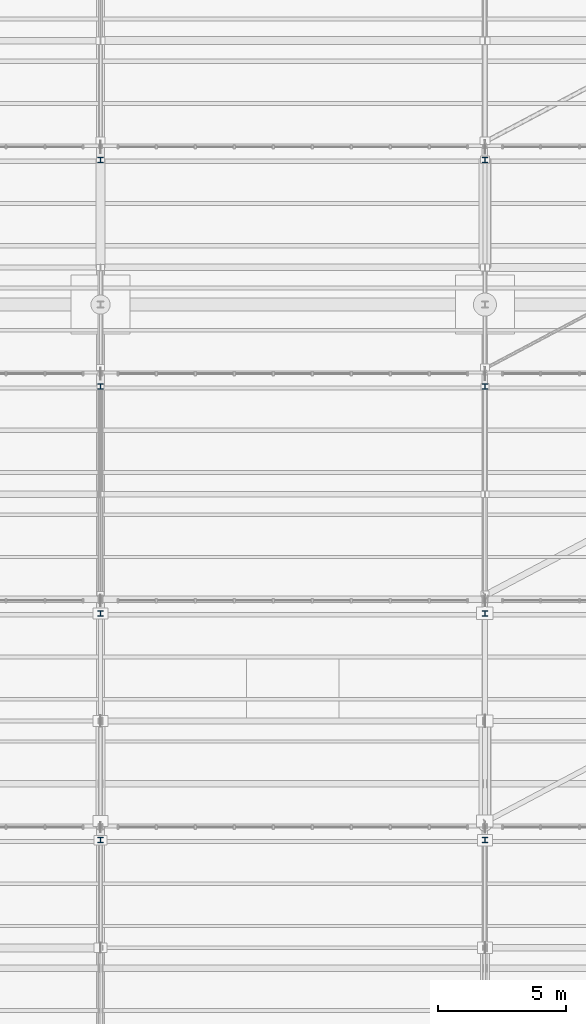
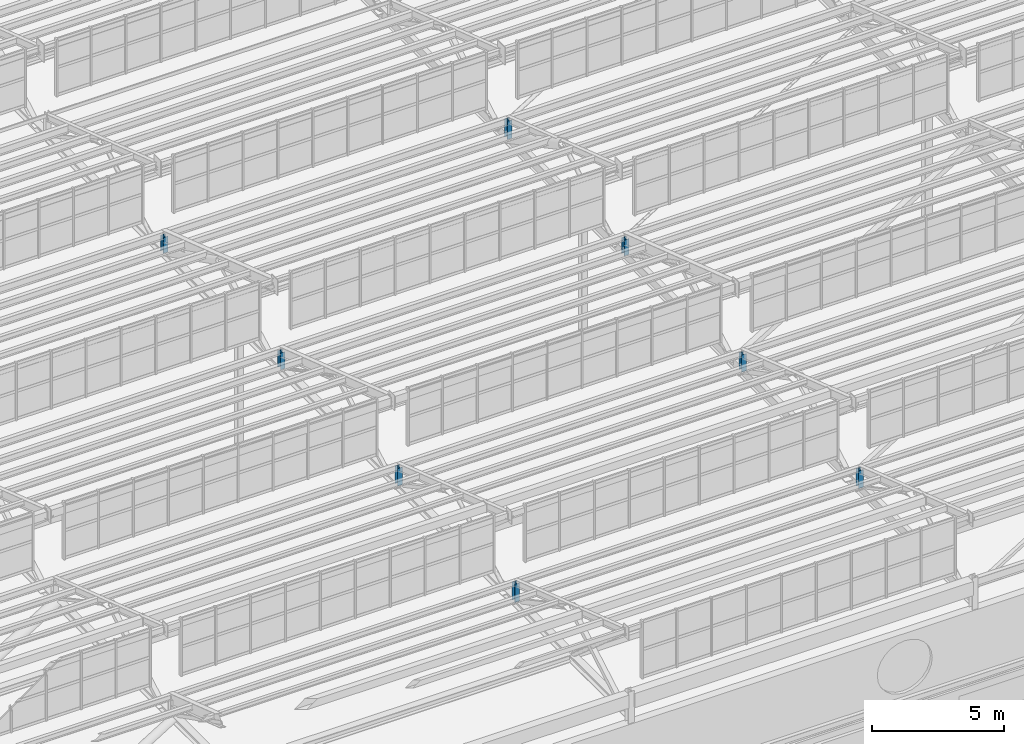
# One storey, part 149 of 285: 8 members.
"""IFC4 building model written with IfcOpenShell, lengths in metres."""

from ifc_helpers import new_model, si_unit, direction, frame, origin, origin_2d, place, context, subcontext, project, spatial, i_section, extrude, material, material_profile, profile_set, type_object, element, save


model = new_model("IFC4")

# Units and contexts
model_context = context("Model", 3, precision=1e-05, world=origin(), true_north=direction((0.0, 1.0)))
body_context = subcontext(model_context, "Body", "Model", "MODEL_VIEW")
ifc_project = project(units=[si_unit("LENGTHUNIT", "METRE"), si_unit("AREAUNIT", "SQUARE_METRE"), si_unit("VOLUMEUNIT", "CUBIC_METRE"), si_unit("PLANEANGLEUNIT", "RADIAN"), si_unit("MASSUNIT", "GRAM", prefix="KILO")], contexts=[model_context])

# Site, building, storey
site_placement = place(None, origin())
site = spatial("IfcSite", under=ifc_project, at=site_placement, CompositionType="ELEMENT")
building_placement = place(site_placement, origin())
building = spatial("IfcBuilding", under=site, at=building_placement, Name="Solanera Park Tramway Depot", CompositionType="ELEMENT")
storey_placement = place(building_placement, origin())
storey = spatial("IfcBuildingStorey", under=building, at=storey_placement, Name="L00", CompositionType="ELEMENT", Elevation=0.0)

# Members
ifc_material = material(Name="Steel AS/NZS 3679.1 Grade 350", Category="steel")
ifc_material_profile = material_profile(ifc_material, i_section(OverallWidth=0.205078125, OverallDepth=0.209716796875, WebThickness=0.00927734375, FlangeThickness=0.01416015625, at=origin_2d()), Name="200UC59.5")
ifc_profile_set = profile_set([ifc_material_profile], Name="Steel AS/NZS 3679.1 Grade 350")
member_type = type_object("IfcMemberType", Name="Roof Gantry Compression Strut 200UC59.5", PredefinedType="STRUT", material=ifc_profile_set)
member_1_placement = place(storey_placement, frame((75.0, 64.10009765625, 6.5), z_axis=(0.0, 0.0, 1.0), x_axis=(1.0, 0.0, 0.0)))
element("IfcMember", 1, at=member_1_placement, inside=storey, type_object=member_type, Name="Sawtooth ROOF TRUSS Valley Post 200UC59.5 #0005", PredefinedType="STRUT", context=body_context, shape_type="SweptSolid", body=[
    extrude(i_section(OverallWidth=0.205078125, OverallDepth=0.209716796875, WebThickness=0.00927734375, FlangeThickness=0.01416015625, at=origin_2d()), origin(), (0.0, 0.0, 1.0), 0.83740234375),
])
for number, where, z_axis, x_axis, name in (
    (2, (90.0, 64.10009765625, 6.5), (0.0, 0.0, 1.0), (1.0, 0.0, 0.0), "Sawtooth ROOF TRUSS Valley Post 200UC59.5 #0006"),
    (3, (75.0, 72.949951171875, 6.5), (0.0, 0.0, 1.0), (1.0, 0.0, 0.0), "Sawtooth ROOF TRUSS Valley Post 200UC59.5 #0014"),
):
    element("IfcMember", number, at=place(storey_placement, frame(where, z_axis=z_axis, x_axis=x_axis)), inside=storey, type_object=member_type, Name=name, PredefinedType="STRUT", context=body_context, shape_type="SweptSolid", body=[
        extrude(i_section(OverallWidth=0.205078125, OverallDepth=0.209716796875, WebThickness=0.00927734375, FlangeThickness=0.01416015625, at=origin_2d()), origin(), (0.0, 0.0, 1.0), 0.81298828125),
    ])
member_2_placement = place(storey_placement, frame((90.0, 72.949951171875, 6.5), z_axis=(0.0, 0.0, 1.0), x_axis=(1.0, 0.0, 0.0)))
element("IfcMember", 4, at=member_2_placement, inside=storey, type_object=member_type, Name="Sawtooth ROOF TRUSS Valley Post 200UC59.5 #0015", PredefinedType="STRUT", context=body_context, shape_type="SweptSolid", body=[
    extrude(i_section(OverallWidth=0.205078125, OverallDepth=0.209716796875, WebThickness=0.00927734375, FlangeThickness=0.01416015625, at=origin_2d()), origin(), (0.0, 0.0, 1.0), 0.78759765625),
])
member_3_placement = place(storey_placement, frame((75.0, 81.800048828125, 6.5), z_axis=(0.0, 0.0, 1.0), x_axis=(1.0, 0.0, 0.0)))
element("IfcMember", 5, at=member_3_placement, inside=storey, type_object=member_type, Name="Sawtooth ROOF TRUSS Valley Post 200UC59.5 #0024", PredefinedType="STRUT", context=body_context, shape_type="SweptSolid", body=[
    extrude(i_section(OverallWidth=0.205078125, OverallDepth=0.209716796875, WebThickness=0.00927734375, FlangeThickness=0.01416015625, at=origin_2d()), origin(), (0.0, 0.0, 1.0), 0.76220703125),
])
for number, where, z_axis, x_axis, name in (
    (6, (90.0, 81.800048828125, 6.5), (0.0, 0.0, 1.0), (1.0, 0.0, 0.0), "Sawtooth ROOF TRUSS Valley Post 200UC59.5 #0025"),
    (7, (75.0, 90.64990234375, 6.5), (0.0, 0.0, 1.0), (1.0, 0.0, 0.0), "Sawtooth ROOF TRUSS Valley Post 200UC59.5 #0035"),
):
    element("IfcMember", number, at=place(storey_placement, frame(where, z_axis=z_axis, x_axis=x_axis)), inside=storey, type_object=member_type, Name=name, PredefinedType="STRUT", context=body_context, shape_type="SweptSolid", body=[
        extrude(i_section(OverallWidth=0.205078125, OverallDepth=0.209716796875, WebThickness=0.00927734375, FlangeThickness=0.01416015625, at=origin_2d()), origin(), (0.0, 0.0, 1.0), 0.724365234375),
    ])
member_4_placement = place(storey_placement, frame((90.0, 90.64990234375, 6.5), z_axis=(0.0, 0.0, 1.0), x_axis=(1.0, 0.0, 0.0)))
element("IfcMember", 8, at=member_4_placement, inside=storey, type_object=member_type, Name="Sawtooth ROOF TRUSS Valley Post 200UC59.5 #0036", PredefinedType="STRUT", context=body_context, shape_type="SweptSolid", body=[
    extrude(i_section(OverallWidth=0.205078125, OverallDepth=0.209716796875, WebThickness=0.00927734375, FlangeThickness=0.01416015625, at=origin_2d()), origin(), (0.0, 0.0, 1.0), 0.83740234375),
])

save(model, "model.ifc")
